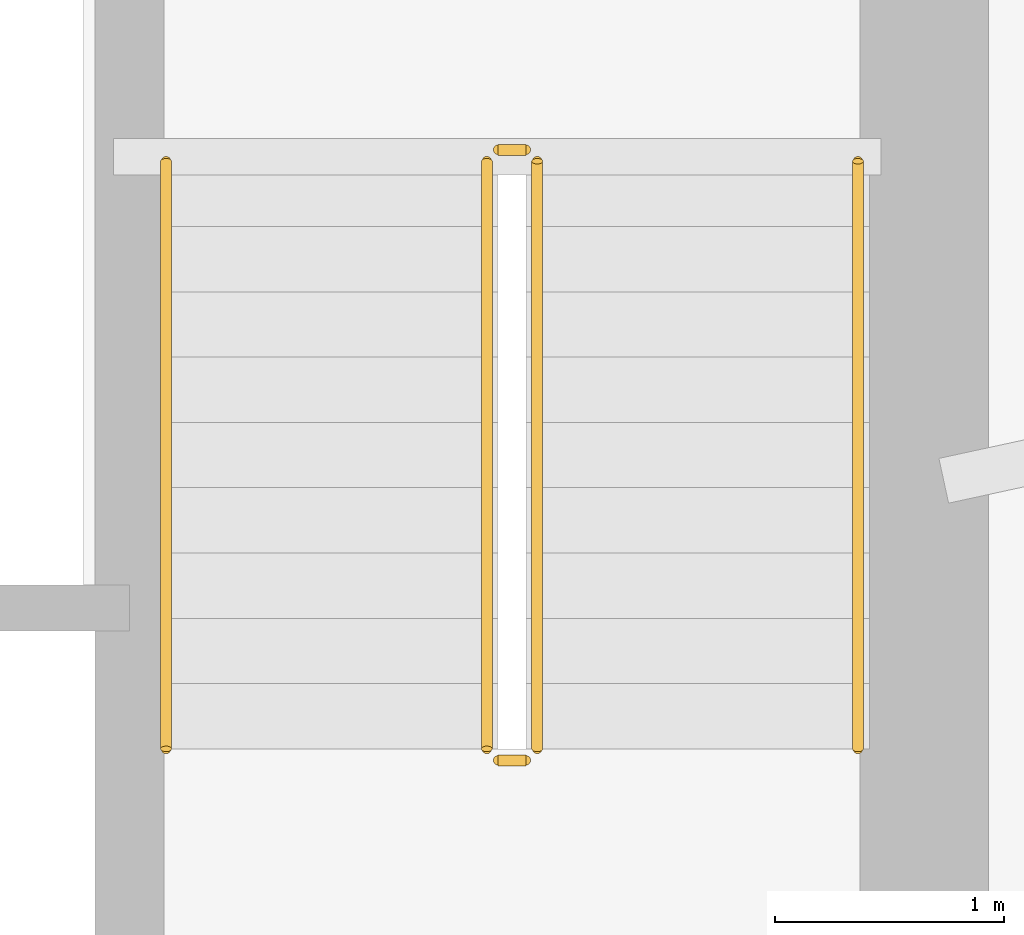
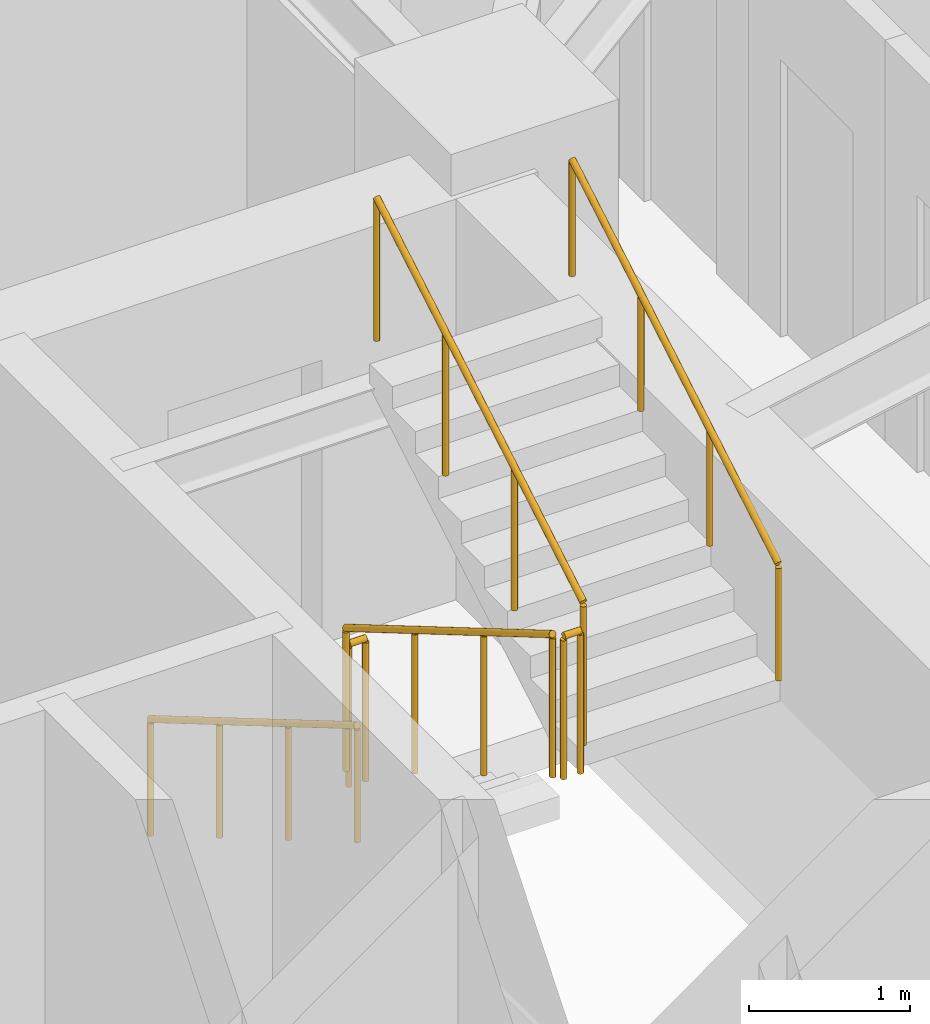
# One storey, part 21 of 21: 6 railings.
"""IFC4 building model written with IfcOpenShell, lengths in metres."""

from ifc_helpers import new_model, si_unit, direction, frame, origin, origin_2d, place, context, subcontext, project, spatial, circle, extrude, material, type_object, element, save


model = new_model("IFC4")

# Units and contexts
model_context = context("Model", 3, precision=1e-05, world=origin(), true_north=direction((0.0, 1.0)))
body_context = subcontext(model_context, "Body", "Model", "MODEL_VIEW")
ifc_project = project(units=[si_unit("LENGTHUNIT", "METRE"), si_unit("AREAUNIT", "SQUARE_METRE"), si_unit("VOLUMEUNIT", "CUBIC_METRE"), si_unit("PLANEANGLEUNIT", "RADIAN"), si_unit("MASSUNIT", "GRAM", prefix="KILO")], contexts=[model_context])

# Site, building, storey
site_placement = place(None, origin())
site = spatial("IfcSite", under=ifc_project, at=site_placement, CompositionType="ELEMENT")
building_placement = place(site_placement, origin())
building = spatial("IfcBuilding", under=site, at=building_placement, Name="Qobustan Lattice House", CompositionType="ELEMENT")
storey_placement = place(building_placement, frame((0.0, 0.0, 57.14990234375)))
storey = spatial("IfcBuildingStorey", under=building, at=storey_placement, Name="L15", CompositionType="ELEMENT", Elevation=57.14990234375)

# Railings
ifc_material_1 = material(Name="Brushed stainless steel handrail", Category="steel")
railing_type_1 = type_object("IfcRailingType", Name="RAL-HR-920", PredefinedType="HANDRAIL", material=ifc_material_1)
railing_1_placement = place(storey_placement, frame((15.179931640625, 3.5, 0.16748046875)))
element("IfcRailing", 1, at=railing_1_placement, inside=storey, type_object=railing_type_1, Name="L15 ST-E1 stair handrail 1", PredefinedType="HANDRAIL", context=body_context, shape_type="SweptSolid", body=[
    extrude(circle(Radius=0.02392578125, at=origin_2d()), frame((0.0, 0.0, 0.8759765625), z_axis=(0.0, -0.862113467892, 0.50671527358), x_axis=(1.0, 0.0, 0.0)), (0.0, 0.0, 1.0), 2.97509765625),
    extrude(circle(Radius=0.02099609375, at=origin_2d()), origin(), (0.0, 0.0, 1.0), 0.851806640625),
    extrude(circle(Radius=0.02099609375, at=origin_2d()), frame((0.0, -0.85498046875, 0.50244140625)), (0.0, 0.0, 1.0), 0.851806640625),
    extrude(circle(Radius=0.02099609375, at=origin_2d()), frame((0.0, -1.7099609375, 1.005126953125)), (0.0, 0.0, 1.0), 0.851806640625),
    extrude(circle(Radius=0.02099609375, at=origin_2d()), frame((0.0, -2.56494140625, 1.507568359375)), (0.0, 0.0, 1.0), 0.851806640625),
])
railing_2_placement = place(storey_placement, frame((18.199951171875, 0.93505859375, 1.842529296875)))
element("IfcRailing", 2, at=railing_2_placement, inside=storey, type_object=railing_type_1, Name="L15 ST-E1 stair handrail 2", PredefinedType="HANDRAIL", context=body_context, shape_type="SweptSolid", body=[
    extrude(circle(Radius=0.02392578125, at=origin_2d()), frame((0.0, 0.0, 0.8759765625), z_axis=(0.0, 0.862113467892, 0.50671527358), x_axis=(-1.0, 0.0, 0.0)), (0.0, 0.0, 1.0), 2.97509765625),
    extrude(circle(Radius=0.02099609375, at=origin_2d()), origin(), (0.0, 0.0, 1.0), 0.851806640625),
    extrude(circle(Radius=0.02099609375, at=origin_2d()), frame((0.0, 0.85498046875, 0.50244140625)), (0.0, 0.0, 1.0), 0.851806640625),
    extrude(circle(Radius=0.02099609375, at=origin_2d()), frame((0.0, 1.7099609375, 1.005126953125)), (0.0, 0.0, 1.0), 0.851806640625),
    extrude(circle(Radius=0.02099609375, at=origin_2d()), frame((0.0, 2.56494140625, 1.507568359375)), (0.0, 0.0, 1.0), 0.851806640625),
])
ifc_material_2 = material(Name="Painted galvanized steel guardrail", Category="steel")
railing_type_2 = type_object("IfcRailingType", Name="RAL-STG-1150", PredefinedType="GUARDRAIL", material=ifc_material_2)
railing_3_placement = place(storey_placement, frame((16.580078125, 3.5, 0.16748046875)))
element("IfcRailing", 3, at=railing_3_placement, inside=storey, type_object=railing_type_2, Name="L15 ST-E1 stair guard 1", PredefinedType="GUARDRAIL", context=body_context, shape_type="SweptSolid", body=[
    extrude(circle(Radius=0.02392578125, at=origin_2d()), frame((0.0, 0.0, 1.076171875), z_axis=(0.0, -0.862113467892, 0.50671527358), x_axis=(1.0, 0.0, 0.0)), (0.0, 0.0, 1.0), 2.97509765625),
    extrude(circle(Radius=0.02099609375, at=origin_2d()), origin(), (0.0, 0.0, 1.0), 1.052001953125),
    extrude(circle(Radius=0.02099609375, at=origin_2d()), frame((0.0, -0.85498046875, 0.50244140625)), (0.0, 0.0, 1.0), 1.052001953125),
    extrude(circle(Radius=0.02099609375, at=origin_2d()), frame((0.0, -1.7099609375, 1.005126953125)), (0.0, 0.0, 1.0), 1.052001953125),
    extrude(circle(Radius=0.02099609375, at=origin_2d()), frame((0.0, -2.56494140625, 1.507568359375)), (0.0, 0.0, 1.0), 1.052001953125),
])
railing_4_placement = place(storey_placement, frame((16.6298828125, 0.885009765625, 1.675048828125)))
element("IfcRailing", 4, at=railing_4_placement, inside=storey, type_object=railing_type_2, Name="L15 ST-E1 stair guard 2", PredefinedType="GUARDRAIL", context=body_context, shape_type="SweptSolid", body=[
    extrude(circle(Radius=0.02392578125, at=origin_2d()), frame((0.0, 0.0, 1.076171875), z_axis=(1.0, 0.0, 0.0), x_axis=(0.0, 1.0, 0.0)), (0.0, 0.0, 1.0), 0.1201171875),
    extrude(circle(Radius=0.02099609375, at=origin_2d()), origin(), (0.0, 0.0, 1.0), 1.052001953125),
    extrude(circle(Radius=0.02099609375, at=origin_2d()), frame((0.1201171875, 0.0, 0.0)), (0.0, 0.0, 1.0), 1.052001953125),
])
railing_5_placement = place(storey_placement, frame((16.800048828125, 0.93505859375, 1.842529296875)))
element("IfcRailing", 5, at=railing_5_placement, inside=storey, type_object=railing_type_2, Name="L15 ST-E1 stair guard 3", PredefinedType="GUARDRAIL", context=body_context, shape_type="SweptSolid", body=[
    extrude(circle(Radius=0.02392578125, at=origin_2d()), frame((0.0, 0.0, 1.076171875), z_axis=(0.0, 0.862113467892, 0.50671527358), x_axis=(-1.0, 0.0, 0.0)), (0.0, 0.0, 1.0), 2.97509765625),
    extrude(circle(Radius=0.02099609375, at=origin_2d()), origin(), (0.0, 0.0, 1.0), 1.052001953125),
    extrude(circle(Radius=0.02099609375, at=origin_2d()), frame((0.0, 0.85498046875, 0.50244140625)), (0.0, 0.0, 1.0), 1.052001953125),
    extrude(circle(Radius=0.02099609375, at=origin_2d()), frame((0.0, 1.7099609375, 1.005126953125)), (0.0, 0.0, 1.0), 1.052001953125),
    extrude(circle(Radius=0.02099609375, at=origin_2d()), frame((0.0, 2.56494140625, 1.507568359375)), (0.0, 0.0, 1.0), 1.052001953125),
])
railing_6_placement = place(storey_placement, frame((16.6298828125, 3.550048828125, 0.0)))
element("IfcRailing", 6, at=railing_6_placement, inside=storey, type_object=railing_type_2, Name="L15 ST-E1 stair guard 4", PredefinedType="GUARDRAIL", context=body_context, shape_type="SweptSolid", body=[
    extrude(circle(Radius=0.02392578125, at=origin_2d()), frame((0.0, 0.0, 1.076171875), z_axis=(1.0, 0.0, 0.0), x_axis=(0.0, 1.0, 0.0)), (0.0, 0.0, 1.0), 0.1201171875),
    extrude(circle(Radius=0.02099609375, at=origin_2d()), origin(), (0.0, 0.0, 1.0), 1.052001953125),
    extrude(circle(Radius=0.02099609375, at=origin_2d()), frame((0.1201171875, 0.0, 0.0)), (0.0, 0.0, 1.0), 1.052001953125),
])

save(model, "model.ifc")
